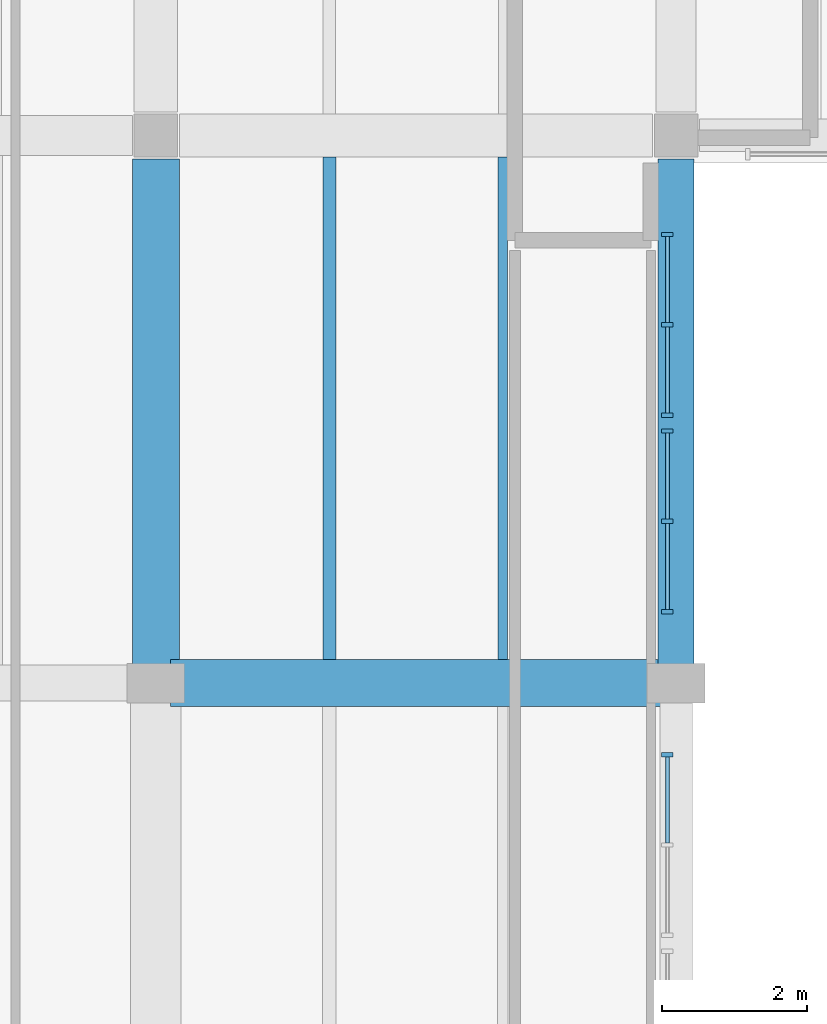
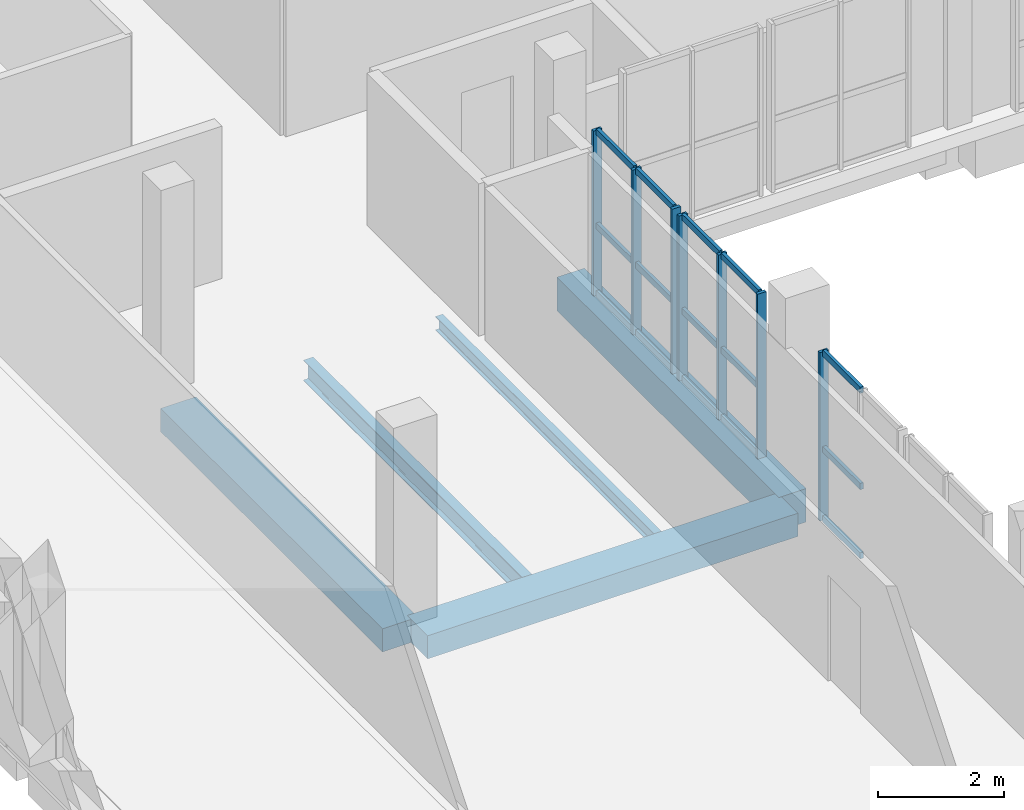
# One storey, part 15 of 56: 22 members, 5 beams, 3 elements without a shape of their own.
"""IFC4 building model written with IfcOpenShell, lengths in metres."""

from ifc_helpers import new_model, si_unit, direction, frame, origin, origin_2d, place, context, subcontext, project, spatial, rectangle, i_section, extrude, material, layer, layer_set, material_profile, profile_set, type_object, element, aggregate, save


model = new_model("IFC4")

# Units and contexts
model_context = context("Model", 3, precision=1e-05, world=origin(), true_north=direction((0.0, 1.0)))
body_context = subcontext(model_context, "Body", "Model", "MODEL_VIEW")
ifc_project = project(units=[si_unit("LENGTHUNIT", "METRE"), si_unit("AREAUNIT", "SQUARE_METRE"), si_unit("VOLUMEUNIT", "CUBIC_METRE"), si_unit("PLANEANGLEUNIT", "RADIAN"), si_unit("MASSUNIT", "GRAM", prefix="KILO")], contexts=[model_context])

# Site, building, storey
site_placement = place(None, origin())
site = spatial("IfcSite", under=ifc_project, at=site_placement, CompositionType="ELEMENT")
building_placement = place(site_placement, origin())
building = spatial("IfcBuilding", under=site, at=building_placement, Name="Vardoun Plaza Health Centre", CompositionType="ELEMENT")
storey_placement = place(building_placement, frame((0.0, 0.0, 8.699951171875)))
storey = spatial("IfcBuildingStorey", under=building, at=storey_placement, Name="L02", CompositionType="ELEMENT", Elevation=8.699951171875)

# Beams
ifc_material_1 = material(Name="Concrete C40/50", Category="concrete")
ifc_material_profile_1 = material_profile(ifc_material_1, rectangle(XDim=0.5, YDim=0.64990234375, at=origin_2d()), Name="RC-BM 500x650")
ifc_profile_set_1 = profile_set([ifc_material_profile_1], Name="Concrete C40/50")
beam_type_1 = type_object("IfcBeamType", Name="B-13", PredefinedType="BEAM", material=ifc_profile_set_1)
beam_1_placement = place(storey_placement, frame((18.89990234375, 94.10009765625, -0.58984375), z_axis=(0.0, 1.0, 0.0), x_axis=(-1.0, 0.0, 0.0)))
element("IfcBeam", 1, at=beam_1_placement, inside=storey, type_object=beam_type_1, Name="V3 L02 Beam B-V3-L02-Y36", PredefinedType="BEAM", context=body_context, shape_type="SweptSolid", body=[
    extrude(rectangle(XDim=0.5, YDim=0.64990234375, at=origin_2d()), origin(), (0.0, 0.0, 1.0), 7.054931640625),
])
ifc_material_2 = material(Name="Concrete C35/45", Category="concrete")
ifc_material_profile_2 = material_profile(ifc_material_2, rectangle(XDim=0.64990234375, YDim=0.449951171875, at=origin_2d()), Name="RC-BM 650x450")
ifc_profile_set_2 = profile_set([ifc_material_profile_2], Name="Concrete C35/45")
beam_type_2 = type_object("IfcBeamType", Name="B-05", PredefinedType="BEAM", material=ifc_profile_set_2)
beam_2_placement = place(storey_placement, frame((11.89990234375, 93.900146484375, -0.489990234375), z_axis=(1.0, 0.0, 0.0), x_axis=(0.0, 1.0, 0.0)))
element("IfcBeam", 2, at=beam_2_placement, inside=storey, type_object=beam_type_2, Name="V3 L02 Beam B-V3-L02-X09", PredefinedType="BEAM", context=body_context, shape_type="SweptSolid", body=[
    extrude(rectangle(XDim=0.64990234375, YDim=0.449951171875, at=origin_2d()), origin(), (0.0, 0.0, 1.0), 6.800048828125),
])
beam_3_placement = place(storey_placement, frame((11.699951171875, 94.10009765625, -0.489990234375), z_axis=(0.0, 1.0, 0.0), x_axis=(-1.0, 0.0, 0.0)))
element("IfcBeam", 3, at=beam_3_placement, inside=storey, type_object=beam_type_2, Name="V3 L02 Beam B-V3-L02-Y31", PredefinedType="BEAM", context=body_context, shape_type="SweptSolid", body=[
    extrude(rectangle(XDim=0.64990234375, YDim=0.449951171875, at=origin_2d()), origin(), (0.0, 0.0, 1.0), 7.054931640625),
])
ifc_material_3 = material(Name="Steel S355J2", Category="steel")
ifc_material_profile_3 = material_profile(ifc_material_3, i_section(OverallWidth=0.135009765625, OverallDepth=0.27001953125, WebThickness=0.006591796875, FlangeThickness=0.01025390625, FilletRadius=0.014892578125, at=origin_2d()), Name="IPE 270")
ifc_profile_set_3 = profile_set([ifc_material_profile_3], Name="Steel S355J2")
beam_type_3 = type_object("IfcBeamType", Name="SB-16", PredefinedType="JOIST", material=ifc_profile_set_3)
beam_4_placement = place(storey_placement, frame((16.500244140625, 94.22509765625, -0.39990234375), z_axis=(0.0, 1.0, 0.0), x_axis=(-1.0, 0.0, 0.0)))
element("IfcBeam", 4, at=beam_4_placement, inside=storey, type_object=beam_type_3, Name="V3 L02 Secondary Floor Beam SJ-V3-L02-14", PredefinedType="JOIST", context=body_context, shape_type="SweptSolid", body=[
    extrude(i_section(OverallWidth=0.135009765625, OverallDepth=0.27001953125, WebThickness=0.006591796875, FlangeThickness=0.01025390625, FilletRadius=0.014892578125, at=origin_2d()), origin(), (0.0, 0.0, 1.0), 6.954833984375),
])
ifc_material_4 = material(Name="Steel S355J2", Category="steel")
ifc_material_profile_4 = material_profile(ifc_material_4, i_section(OverallWidth=0.179931640625, OverallDepth=0.39990234375, WebThickness=0.008544921875, FlangeThickness=0.013427734375, FilletRadius=0.02099609375, at=origin_2d()), Name="IPE 400")
ifc_profile_set_4 = profile_set([ifc_material_profile_4], Name="Steel S355J2")
beam_type_4 = type_object("IfcBeamType", Name="SB-12", PredefinedType="BEAM", material=ifc_profile_set_4)
beam_5_placement = place(storey_placement, frame((14.099853515625, 94.22509765625, -0.46484375), z_axis=(0.0, 1.0, 0.0), x_axis=(-1.0, 0.0, 0.0)))
element("IfcBeam", 5, at=beam_5_placement, inside=storey, type_object=beam_type_4, Name="V3 L02 Secondary Floor Beam SJ-V3-L02-10", PredefinedType="BEAM", context=body_context, shape_type="SweptSolid", body=[
    extrude(i_section(OverallWidth=0.179931640625, OverallDepth=0.39990234375, WebThickness=0.008544921875, FlangeThickness=0.013427734375, FilletRadius=0.02099609375, at=origin_2d()), origin(), (0.0, 0.0, 1.0), 6.954833984375),
])

# Curtain wall, members
ifc_material_5 = material(Name="Aluminium Alloy EN AW-6063-T6 and Low-E Glass", Category="aluminium")
ifc_layer = layer(ifc_material_5, 0.159912109375)
ifc_layer_set = layer_set([ifc_layer], Name="Aluminium Alloy EN AW-6063-T6 and Low-E Glass")
curtain_wall_type = type_object("IfcCurtainWallType", Name="CW-02", PredefinedType="USERDEFINED", material=ifc_layer_set)
curtain_wall_1_placement = place(storey_placement, origin())
curtain_wall_1 = element("IfcCurtainWall", 6, at=curtain_wall_1_placement, inside=storey, type_object=curtain_wall_type, Name="Curtain Wall CW-V3-081", ObjectType="COURTYARD_CURTAIN_WALL", PredefinedType="USERDEFINED")
ifc_material_6 = material(Name="Aluminium Alloy EN AW-6063-T6", Category="aluminium")
ifc_material_profile_5 = material_profile(ifc_material_6, rectangle(XDim=0.159912109375, YDim=0.06005859375, at=origin_2d()), Name="CWM 60x160")
ifc_profile_set_5 = profile_set([ifc_material_profile_5], Name="Aluminium Alloy EN AW-6063-T6")
member_type_1 = type_object("IfcMemberType", Name="CW-M1", PredefinedType="MULLION", material=ifc_profile_set_5)
member_1_placement = place(storey_placement, frame((18.780029296875, 100.110107421875, 0.0), z_axis=(0.0, 0.0, 1.0), x_axis=(1.0, 0.0, 0.0)))
member_1 = element("IfcMember", 7, at=member_1_placement, type_object=member_type_1, Name="CW-V3-081 mullion 1", PredefinedType="MULLION", context=body_context, shape_type="SweptSolid", body=[
    extrude(rectangle(XDim=0.159912109375, YDim=0.06005859375, at=origin_2d()), origin(), (0.0, 0.0, 1.0), 3.199951171875),
])
member_2_placement = place(storey_placement, frame((18.780029296875, 98.860107421875, 0.0), z_axis=(0.0, 0.0, 1.0), x_axis=(1.0, 0.0, 0.0)))
member_2 = element("IfcMember", 8, at=member_2_placement, type_object=member_type_1, Name="CW-V3-081 mullion 2", PredefinedType="MULLION", context=body_context, shape_type="SweptSolid", body=[
    extrude(rectangle(XDim=0.159912109375, YDim=0.06005859375, at=origin_2d()), origin(), (0.0, 0.0, 1.0), 3.199951171875),
])
member_3_placement = place(storey_placement, frame((18.780029296875, 97.610107421875, 0.0), z_axis=(0.0, 0.0, 1.0), x_axis=(1.0, 0.0, 0.0)))
member_3 = element("IfcMember", 9, at=member_3_placement, type_object=member_type_1, Name="CW-V3-081 mullion 3", PredefinedType="MULLION", context=body_context, shape_type="SweptSolid", body=[
    extrude(rectangle(XDim=0.159912109375, YDim=0.06005859375, at=origin_2d()), origin(), (0.0, 0.0, 1.0), 3.199951171875),
])

curtain_wall_2_placement = place(storey_placement, origin())
curtain_wall_2 = element("IfcCurtainWall", 10, at=curtain_wall_2_placement, inside=storey, type_object=curtain_wall_type, Name="Curtain Wall CW-V3-082", ObjectType="COURTYARD_CURTAIN_WALL", PredefinedType="USERDEFINED")
member_4_placement = place(storey_placement, frame((18.780029296875, 97.389892578125, 0.0), z_axis=(0.0, 0.0, 1.0), x_axis=(1.0, 0.0, 0.0)))
member_4 = element("IfcMember", 11, at=member_4_placement, type_object=member_type_1, Name="CW-V3-082 mullion 1", PredefinedType="MULLION", context=body_context, shape_type="SweptSolid", body=[
    extrude(rectangle(XDim=0.159912109375, YDim=0.06005859375, at=origin_2d()), origin(), (0.0, 0.0, 1.0), 3.199951171875),
])
member_5_placement = place(storey_placement, frame((18.780029296875, 96.139892578125, 0.0), z_axis=(0.0, 0.0, 1.0), x_axis=(1.0, 0.0, 0.0)))
member_5 = element("IfcMember", 12, at=member_5_placement, type_object=member_type_1, Name="CW-V3-082 mullion 2", PredefinedType="MULLION", context=body_context, shape_type="SweptSolid", body=[
    extrude(rectangle(XDim=0.159912109375, YDim=0.06005859375, at=origin_2d()), origin(), (0.0, 0.0, 1.0), 3.199951171875),
])
member_6_placement = place(storey_placement, frame((18.780029296875, 94.889892578125, 0.0), z_axis=(0.0, 0.0, 1.0), x_axis=(1.0, 0.0, 0.0)))
member_6 = element("IfcMember", 13, at=member_6_placement, type_object=member_type_1, Name="CW-V3-082 mullion 3", PredefinedType="MULLION", context=body_context, shape_type="SweptSolid", body=[
    extrude(rectangle(XDim=0.159912109375, YDim=0.06005859375, at=origin_2d()), origin(), (0.0, 0.0, 1.0), 3.199951171875),
])

# Curtain wall, member
curtain_wall_3_placement = place(storey_placement, origin())
curtain_wall_3 = element("IfcCurtainWall", 14, at=curtain_wall_3_placement, inside=storey, type_object=curtain_wall_type, Name="Curtain Wall CW-V3-083", ObjectType="COURTYARD_CURTAIN_WALL", PredefinedType="USERDEFINED")
member_7_placement = place(storey_placement, frame((18.780029296875, 92.909912109375, 0.0), z_axis=(0.0, 0.0, 1.0), x_axis=(1.0, 0.0, 0.0)))
member_7 = element("IfcMember", 15, at=member_7_placement, type_object=member_type_1, Name="CW-V3-083 mullion 1", PredefinedType="MULLION", context=body_context, shape_type="SweptSolid", body=[
    extrude(rectangle(XDim=0.159912109375, YDim=0.06005859375, at=origin_2d()), origin(), (0.0, 0.0, 1.0), 3.27001953125),
])

# Member
ifc_material_7 = material(Name="Aluminium Alloy EN AW-6063-T6", Category="aluminium")
ifc_material_profile_6 = material_profile(ifc_material_7, rectangle(XDim=0.06005859375, YDim=0.1201171875, at=origin_2d()), Name="CWT 60x120")
ifc_profile_set_6 = profile_set([ifc_material_profile_6], Name="Aluminium Alloy EN AW-6063-T6")
member_type_2 = type_object("IfcMemberType", Name="CW-T1", PredefinedType="USERDEFINED", material=ifc_profile_set_6)
member_8_placement = place(storey_placement, frame((18.780029296875, 100.080078125, 0.030029296875), z_axis=(0.0, -1.0, 0.0), x_axis=(1.0, 0.0, 0.0)))
member_8 = element("IfcMember", 16, at=member_8_placement, type_object=member_type_2, Name="CW-V3-081 transom 1.1", ObjectType="TRANSOM", PredefinedType="USERDEFINED", context=body_context, shape_type="SweptSolid", body=[
    extrude(rectangle(XDim=0.06005859375, YDim=0.1201171875, at=origin_2d()), origin(), (0.0, 0.0, 1.0), 1.190185546875),
])

member_9_placement = place(storey_placement, frame((18.780029296875, 100.080078125, 1.343994140625), z_axis=(0.0, -1.0, 0.0), x_axis=(1.0, 0.0, 0.0)))
member_9 = element("IfcMember", 17, at=member_9_placement, type_object=member_type_2, Name="CW-V3-081 transom 1.2", ObjectType="TRANSOM", PredefinedType="USERDEFINED", context=body_context, shape_type="SweptSolid", body=[
    extrude(rectangle(XDim=0.06005859375, YDim=0.1201171875, at=origin_2d()), origin(), (0.0, 0.0, 1.0), 1.190185546875),
])

member_10_placement = place(storey_placement, frame((18.780029296875, 100.080078125, 3.170166015625), z_axis=(0.0, -1.0, 0.0), x_axis=(1.0, 0.0, 0.0)))
member_10 = element("IfcMember", 18, at=member_10_placement, type_object=member_type_2, Name="CW-V3-081 transom 1.3", ObjectType="TRANSOM", PredefinedType="USERDEFINED", context=body_context, shape_type="SweptSolid", body=[
    extrude(rectangle(XDim=0.06005859375, YDim=0.1201171875, at=origin_2d()), origin(), (0.0, 0.0, 1.0), 1.190185546875),
])

member_11_placement = place(storey_placement, frame((18.780029296875, 98.830078125, 0.030029296875), z_axis=(0.0, -1.0, 0.0), x_axis=(1.0, 0.0, 0.0)))
member_11 = element("IfcMember", 19, at=member_11_placement, type_object=member_type_2, Name="CW-V3-081 transom 2.1", ObjectType="TRANSOM", PredefinedType="USERDEFINED", context=body_context, shape_type="SweptSolid", body=[
    extrude(rectangle(XDim=0.06005859375, YDim=0.1201171875, at=origin_2d()), origin(), (0.0, 0.0, 1.0), 1.190185546875),
])

member_12_placement = place(storey_placement, frame((18.780029296875, 98.830078125, 1.343994140625), z_axis=(0.0, -1.0, 0.0), x_axis=(1.0, 0.0, 0.0)))
member_12 = element("IfcMember", 20, at=member_12_placement, type_object=member_type_2, Name="CW-V3-081 transom 2.2", ObjectType="TRANSOM", PredefinedType="USERDEFINED", context=body_context, shape_type="SweptSolid", body=[
    extrude(rectangle(XDim=0.06005859375, YDim=0.1201171875, at=origin_2d()), origin(), (0.0, 0.0, 1.0), 1.190185546875),
])

member_13_placement = place(storey_placement, frame((18.780029296875, 98.830078125, 3.170166015625), z_axis=(0.0, -1.0, 0.0), x_axis=(1.0, 0.0, 0.0)))
member_13 = element("IfcMember", 21, at=member_13_placement, type_object=member_type_2, Name="CW-V3-081 transom 2.3", ObjectType="TRANSOM", PredefinedType="USERDEFINED", context=body_context, shape_type="SweptSolid", body=[
    extrude(rectangle(XDim=0.06005859375, YDim=0.1201171875, at=origin_2d()), origin(), (0.0, 0.0, 1.0), 1.190185546875),
])

aggregate(curtain_wall_1, [member_1, member_2, member_3, member_8, member_9, member_10, member_11, member_12, member_13])

member_14_placement = place(storey_placement, frame((18.780029296875, 97.360107421875, 0.030029296875), z_axis=(0.0, -1.0, 0.0), x_axis=(1.0, 0.0, 0.0)))
member_14 = element("IfcMember", 22, at=member_14_placement, type_object=member_type_2, Name="CW-V3-082 transom 1.1", ObjectType="TRANSOM", PredefinedType="USERDEFINED", context=body_context, shape_type="SweptSolid", body=[
    extrude(rectangle(XDim=0.06005859375, YDim=0.1201171875, at=origin_2d()), origin(), (0.0, 0.0, 1.0), 1.190185546875),
])

member_15_placement = place(storey_placement, frame((18.780029296875, 97.360107421875, 1.343994140625), z_axis=(0.0, -1.0, 0.0), x_axis=(1.0, 0.0, 0.0)))
member_15 = element("IfcMember", 23, at=member_15_placement, type_object=member_type_2, Name="CW-V3-082 transom 1.2", ObjectType="TRANSOM", PredefinedType="USERDEFINED", context=body_context, shape_type="SweptSolid", body=[
    extrude(rectangle(XDim=0.06005859375, YDim=0.1201171875, at=origin_2d()), origin(), (0.0, 0.0, 1.0), 1.190185546875),
])

member_16_placement = place(storey_placement, frame((18.780029296875, 97.360107421875, 3.170166015625), z_axis=(0.0, -1.0, 0.0), x_axis=(1.0, 0.0, 0.0)))
member_16 = element("IfcMember", 24, at=member_16_placement, type_object=member_type_2, Name="CW-V3-082 transom 1.3", ObjectType="TRANSOM", PredefinedType="USERDEFINED", context=body_context, shape_type="SweptSolid", body=[
    extrude(rectangle(XDim=0.06005859375, YDim=0.1201171875, at=origin_2d()), origin(), (0.0, 0.0, 1.0), 1.190185546875),
])

member_17_placement = place(storey_placement, frame((18.780029296875, 96.110107421875, 0.030029296875), z_axis=(0.0, -1.0, 0.0), x_axis=(1.0, 0.0, 0.0)))
member_17 = element("IfcMember", 25, at=member_17_placement, type_object=member_type_2, Name="CW-V3-082 transom 2.1", ObjectType="TRANSOM", PredefinedType="USERDEFINED", context=body_context, shape_type="SweptSolid", body=[
    extrude(rectangle(XDim=0.06005859375, YDim=0.1201171875, at=origin_2d()), origin(), (0.0, 0.0, 1.0), 1.190185546875),
])

member_18_placement = place(storey_placement, frame((18.780029296875, 96.110107421875, 1.343994140625), z_axis=(0.0, -1.0, 0.0), x_axis=(1.0, 0.0, 0.0)))
member_18 = element("IfcMember", 26, at=member_18_placement, type_object=member_type_2, Name="CW-V3-082 transom 2.2", ObjectType="TRANSOM", PredefinedType="USERDEFINED", context=body_context, shape_type="SweptSolid", body=[
    extrude(rectangle(XDim=0.06005859375, YDim=0.1201171875, at=origin_2d()), origin(), (0.0, 0.0, 1.0), 1.190185546875),
])

member_19_placement = place(storey_placement, frame((18.780029296875, 96.110107421875, 3.170166015625), z_axis=(0.0, -1.0, 0.0), x_axis=(1.0, 0.0, 0.0)))
member_19 = element("IfcMember", 27, at=member_19_placement, type_object=member_type_2, Name="CW-V3-082 transom 2.3", ObjectType="TRANSOM", PredefinedType="USERDEFINED", context=body_context, shape_type="SweptSolid", body=[
    extrude(rectangle(XDim=0.06005859375, YDim=0.1201171875, at=origin_2d()), origin(), (0.0, 0.0, 1.0), 1.190185546875),
])

aggregate(curtain_wall_2, [member_4, member_5, member_6, member_14, member_15, member_16, member_17, member_18, member_19])

member_20_placement = place(storey_placement, frame((18.780029296875, 92.8798828125, 0.030029296875), z_axis=(0.0, -1.0, 0.0), x_axis=(1.0, 0.0, 0.0)))
member_20 = element("IfcMember", 28, at=member_20_placement, type_object=member_type_2, Name="CW-V3-083 transom 1.1", ObjectType="TRANSOM", PredefinedType="USERDEFINED", context=body_context, shape_type="SweptSolid", body=[
    extrude(rectangle(XDim=0.06005859375, YDim=0.1201171875, at=origin_2d()), origin(), (0.0, 0.0, 1.0), 1.189697265625),
])

member_21_placement = place(storey_placement, frame((18.780029296875, 92.8798828125, 1.37353515625), z_axis=(0.0, -1.0, 0.0), x_axis=(1.0, 0.0, 0.0)))
member_21 = element("IfcMember", 29, at=member_21_placement, type_object=member_type_2, Name="CW-V3-083 transom 1.2", ObjectType="TRANSOM", PredefinedType="USERDEFINED", context=body_context, shape_type="SweptSolid", body=[
    extrude(rectangle(XDim=0.06005859375, YDim=0.1201171875, at=origin_2d()), origin(), (0.0, 0.0, 1.0), 1.189697265625),
])

member_22_placement = place(storey_placement, frame((18.780029296875, 92.8798828125, 3.239990234375), z_axis=(0.0, -1.0, 0.0), x_axis=(1.0, 0.0, 0.0)))
member_22 = element("IfcMember", 30, at=member_22_placement, type_object=member_type_2, Name="CW-V3-083 transom 1.3", ObjectType="TRANSOM", PredefinedType="USERDEFINED", context=body_context, shape_type="SweptSolid", body=[
    extrude(rectangle(XDim=0.06005859375, YDim=0.1201171875, at=origin_2d()), origin(), (0.0, 0.0, 1.0), 1.189697265625),
])

aggregate(curtain_wall_3, [member_7, member_20, member_21, member_22])

save(model, "model.ifc")
